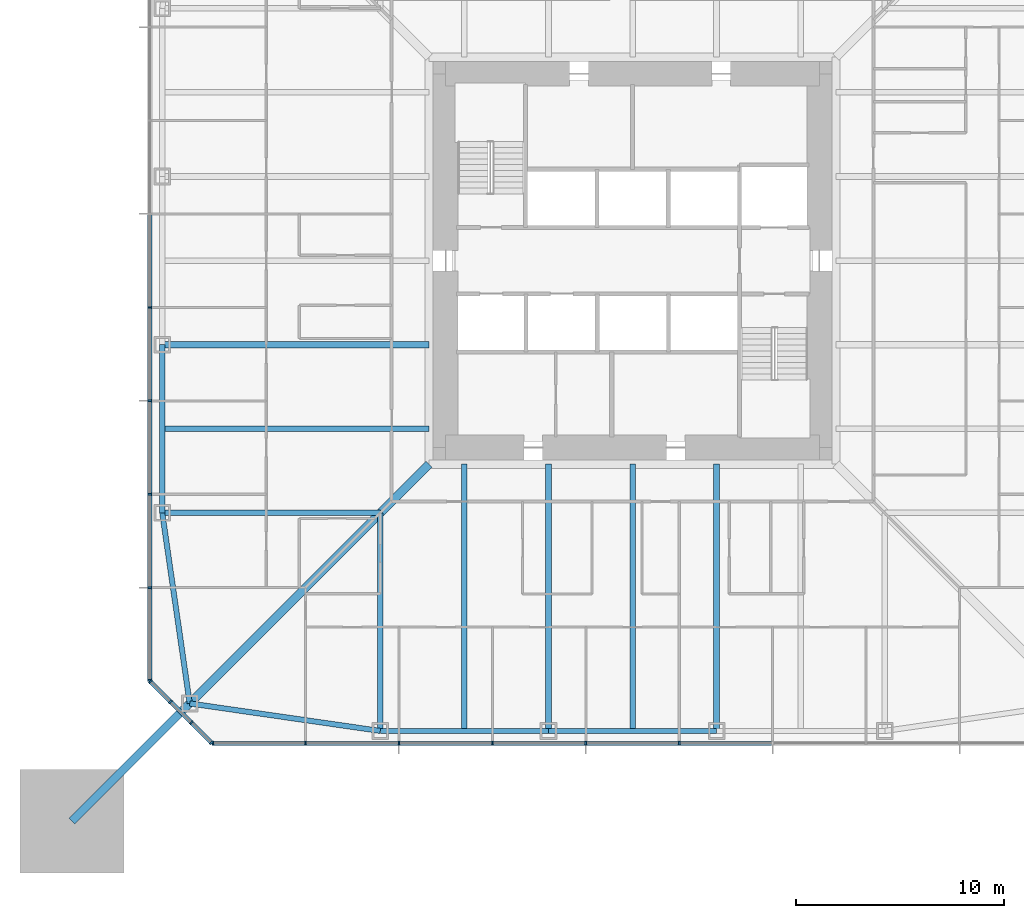
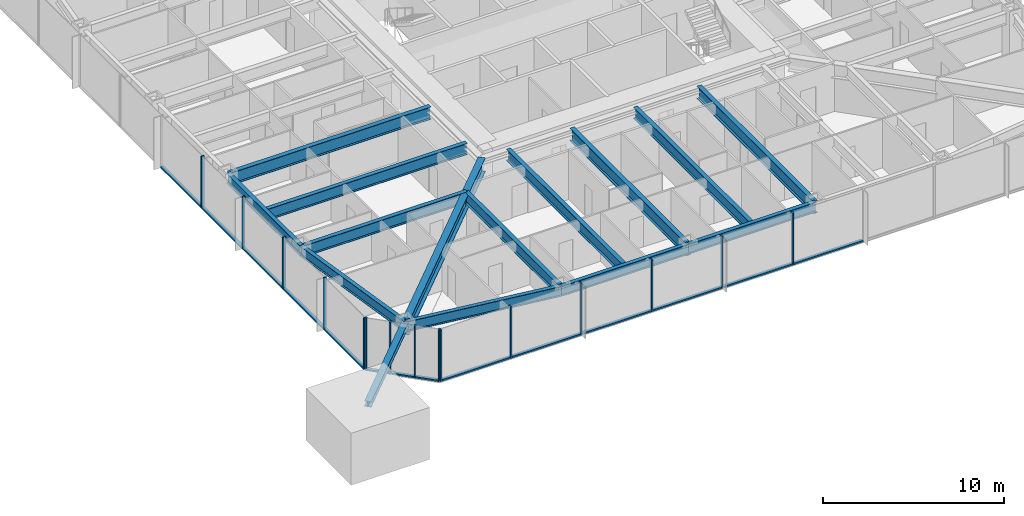
# One storey, part 3 of 26: 30 members, 14 beams, 3 elements without a shape of their own.
"""IFC4 building model written with IfcOpenShell, lengths in metres."""

from ifc_helpers import new_model, si_unit, direction, frame, origin, origin_2d, place, context, subcontext, project, spatial, rectangle, i_section, extrude, material, material_profile, profile_set, type_object, element, aggregate, save


model = new_model("IFC4")

# Units and contexts
model_context = context("Model", 3, precision=1e-05, world=origin(), true_north=direction((0.0, 1.0)))
body_context = subcontext(model_context, "Body", "Model", "MODEL_VIEW")
ifc_project = project(units=[si_unit("LENGTHUNIT", "METRE"), si_unit("AREAUNIT", "SQUARE_METRE"), si_unit("VOLUMEUNIT", "CUBIC_METRE"), si_unit("PLANEANGLEUNIT", "RADIAN"), si_unit("MASSUNIT", "GRAM", prefix="KILO")], contexts=[model_context])

# Site, building, storey
site_placement = place(None, origin())
site = spatial("IfcSite", under=ifc_project, at=site_placement, CompositionType="ELEMENT")
building_placement = place(site_placement, origin())
building = spatial("IfcBuilding", under=site, at=building_placement, Name="Iwan Alto Co-Living Towers", CompositionType="ELEMENT")
storey_placement = place(building_placement, frame((0.0, 0.0, 60.5)))
storey = spatial("IfcBuildingStorey", under=building, at=storey_placement, Name="L16", CompositionType="ELEMENT", Elevation=60.5)

# Curtain wall, members
ifc_material_1 = material(Name="Bronze aluminium unitised frame", Category="aluminium")
curtain_wall_type_1 = type_object("IfcCurtainWallType", Name="CURTAIN WALL CW-A", PredefinedType="NOTDEFINED", material=ifc_material_1)
curtain_wall_1_placement = place(storey_placement, origin())
curtain_wall_1 = element("IfcCurtainWall", 1, at=curtain_wall_1_placement, inside=storey, type_object=curtain_wall_type_1, Name="T1 curtain wall S L16", PredefinedType="NOTDEFINED")
ifc_material_2 = material(Name="Aluminium 6063-T6 bronze anodised", Category="aluminium")
ifc_material_profile_1 = material_profile(ifc_material_2, rectangle(XDim=0.199951171875, YDim=0.080078125, at=origin_2d()), Name="AL 80X200")
ifc_profile_set_1 = profile_set([ifc_material_profile_1], Name="Aluminium 6063-T6 bronze anodised")
member_type_1 = type_object("IfcMemberType", Name="CW-A MULLION 80X200", PredefinedType="MULLION", material=ifc_profile_set_1)
member_1_placement = place(storey_placement, frame((-20.2099609375, -23.25, 0.0), z_axis=(0.0, 0.0, 1.0), x_axis=(0.0, 1.0, 0.0)))
member_1 = element("IfcMember", 2, at=member_1_placement, type_object=member_type_1, Name="CW-A mullion 1", PredefinedType="MULLION", context=body_context, shape_type="SweptSolid", body=[
    extrude(rectangle(XDim=0.199951171875, YDim=0.080078125, at=origin_2d()), origin(), (0.0, 0.0, 1.0), 3.5),
])
member_2_placement = place(storey_placement, frame((-15.75, -23.25, 0.0), z_axis=(0.0, 0.0, 1.0), x_axis=(0.0, 1.0, 0.0)))
member_2 = element("IfcMember", 3, at=member_2_placement, type_object=member_type_1, Name="CW-A mullion 2", PredefinedType="MULLION", context=body_context, shape_type="SweptSolid", body=[
    extrude(rectangle(XDim=0.199951171875, YDim=0.080078125, at=origin_2d()), origin(), (0.0, 0.0, 1.0), 3.5),
])
member_3_placement = place(storey_placement, frame((-11.25, -23.25, 0.0), z_axis=(0.0, 0.0, 1.0), x_axis=(0.0, 1.0, 0.0)))
member_3 = element("IfcMember", 4, at=member_3_placement, type_object=member_type_1, Name="CW-A mullion 3", PredefinedType="MULLION", context=body_context, shape_type="SweptSolid", body=[
    extrude(rectangle(XDim=0.199951171875, YDim=0.080078125, at=origin_2d()), origin(), (0.0, 0.0, 1.0), 3.5),
])
member_4_placement = place(storey_placement, frame((-6.75, -23.25, 0.0), z_axis=(0.0, 0.0, 1.0), x_axis=(0.0, 1.0, 0.0)))
member_4 = element("IfcMember", 5, at=member_4_placement, type_object=member_type_1, Name="CW-A mullion 4", PredefinedType="MULLION", context=body_context, shape_type="SweptSolid", body=[
    extrude(rectangle(XDim=0.199951171875, YDim=0.080078125, at=origin_2d()), origin(), (0.0, 0.0, 1.0), 3.5),
])
member_5_placement = place(storey_placement, frame((-2.25, -23.25, 0.0), z_axis=(0.0, 0.0, 1.0), x_axis=(0.0, 1.0, 0.0)))
member_5 = element("IfcMember", 6, at=member_5_placement, type_object=member_type_1, Name="CW-A mullion 5", PredefinedType="MULLION", context=body_context, shape_type="SweptSolid", body=[
    extrude(rectangle(XDim=0.199951171875, YDim=0.080078125, at=origin_2d()), origin(), (0.0, 0.0, 1.0), 3.5),
])
member_6_placement = place(storey_placement, frame((2.25, -23.25, 0.0), z_axis=(0.0, 0.0, 1.0), x_axis=(0.0, 1.0, 0.0)))
member_6 = element("IfcMember", 7, at=member_6_placement, type_object=member_type_1, Name="CW-A mullion 6", PredefinedType="MULLION", context=body_context, shape_type="SweptSolid", body=[
    extrude(rectangle(XDim=0.199951171875, YDim=0.080078125, at=origin_2d()), origin(), (0.0, 0.0, 1.0), 3.5),
])

curtain_wall_2_placement = place(storey_placement, origin())
curtain_wall_2 = element("IfcCurtainWall", 8, at=curtain_wall_2_placement, inside=storey, type_object=curtain_wall_type_1, Name="T1 curtain wall W L16", PredefinedType="NOTDEFINED")
member_7_placement = place(storey_placement, frame((-23.25, -2.25, 0.0), z_axis=(0.0, 0.0, 1.0), x_axis=(1.0, 0.0, 0.0)))
member_7 = element("IfcMember", 9, at=member_7_placement, type_object=member_type_1, Name="CW-A mullion 6", PredefinedType="MULLION", context=body_context, shape_type="SweptSolid", body=[
    extrude(rectangle(XDim=0.199951171875, YDim=0.080078125, at=origin_2d()), origin(), (0.0, 0.0, 1.0), 3.5),
])
member_8_placement = place(storey_placement, frame((-23.25, -6.75, 0.0), z_axis=(0.0, 0.0, 1.0), x_axis=(1.0, 0.0, 0.0)))
member_8 = element("IfcMember", 10, at=member_8_placement, type_object=member_type_1, Name="CW-A mullion 7", PredefinedType="MULLION", context=body_context, shape_type="SweptSolid", body=[
    extrude(rectangle(XDim=0.199951171875, YDim=0.080078125, at=origin_2d()), origin(), (0.0, 0.0, 1.0), 3.5),
])
member_9_placement = place(storey_placement, frame((-23.25, -11.25, 0.0), z_axis=(0.0, 0.0, 1.0), x_axis=(1.0, 0.0, 0.0)))
member_9 = element("IfcMember", 11, at=member_9_placement, type_object=member_type_1, Name="CW-A mullion 8", PredefinedType="MULLION", context=body_context, shape_type="SweptSolid", body=[
    extrude(rectangle(XDim=0.199951171875, YDim=0.080078125, at=origin_2d()), origin(), (0.0, 0.0, 1.0), 3.5),
])
member_10_placement = place(storey_placement, frame((-23.25, -15.75, 0.0), z_axis=(0.0, 0.0, 1.0), x_axis=(1.0, 0.0, 0.0)))
member_10 = element("IfcMember", 12, at=member_10_placement, type_object=member_type_1, Name="CW-A mullion 9", PredefinedType="MULLION", context=body_context, shape_type="SweptSolid", body=[
    extrude(rectangle(XDim=0.199951171875, YDim=0.080078125, at=origin_2d()), origin(), (0.0, 0.0, 1.0), 3.5),
])
member_11_placement = place(storey_placement, frame((-23.25, -20.2099609375, 0.0), z_axis=(0.0, 0.0, 1.0), x_axis=(1.0, 0.0, 0.0)))
member_11 = element("IfcMember", 13, at=member_11_placement, type_object=member_type_1, Name="CW-A mullion 10", PredefinedType="MULLION", context=body_context, shape_type="SweptSolid", body=[
    extrude(rectangle(XDim=0.199951171875, YDim=0.080078125, at=origin_2d()), origin(), (0.0, 0.0, 1.0), 3.5),
])

# Member
ifc_material_3 = material(Name="Aluminium 6063-T6 bronze anodised", Category="aluminium")
ifc_material_profile_2 = material_profile(ifc_material_3, rectangle(XDim=0.199951171875, YDim=0.10009765625, at=origin_2d()), Name="AL 200X100")
ifc_profile_set_2 = profile_set([ifc_material_profile_2], Name="Aluminium 6063-T6 bronze anodised")
member_type_2 = type_object("IfcMemberType", Name="CW-A TRANSOM 200X100", PredefinedType="USERDEFINED", material=ifc_profile_set_2)
member_12_placement = place(storey_placement, frame((-20.169921875, -23.25, 0.050048828125), z_axis=(1.0, 0.0, 0.0), x_axis=(0.0, 1.0, 0.0)))
member_12 = element("IfcMember", 14, at=member_12_placement, type_object=member_type_2, Name="CW-A transom 1.1", ObjectType="TRANSOM", PredefinedType="USERDEFINED", context=body_context, shape_type="SweptSolid", body=[
    extrude(rectangle(XDim=0.199951171875, YDim=0.10009765625, at=origin_2d()), origin(), (0.0, 0.0, 1.0), 4.3798828125),
])

member_13_placement = place(storey_placement, frame((-15.7099609375, -23.25, 0.050048828125), z_axis=(1.0, 0.0, 0.0), x_axis=(0.0, 1.0, 0.0)))
member_13 = element("IfcMember", 15, at=member_13_placement, type_object=member_type_2, Name="CW-A transom 2.1", ObjectType="TRANSOM", PredefinedType="USERDEFINED", context=body_context, shape_type="SweptSolid", body=[
    extrude(rectangle(XDim=0.199951171875, YDim=0.10009765625, at=origin_2d()), origin(), (0.0, 0.0, 1.0), 4.419921875),
])

member_14_placement = place(storey_placement, frame((-11.2099609375, -23.25, 0.050048828125), z_axis=(1.0, 0.0, 0.0), x_axis=(0.0, 1.0, 0.0)))
member_14 = element("IfcMember", 16, at=member_14_placement, type_object=member_type_2, Name="CW-A transom 3.1", ObjectType="TRANSOM", PredefinedType="USERDEFINED", context=body_context, shape_type="SweptSolid", body=[
    extrude(rectangle(XDim=0.199951171875, YDim=0.10009765625, at=origin_2d()), origin(), (0.0, 0.0, 1.0), 4.419921875),
])

member_15_placement = place(storey_placement, frame((-6.7099609375, -23.25, 0.050048828125), z_axis=(1.0, 0.0, 0.0), x_axis=(0.0, 1.0, 0.0)))
member_15 = element("IfcMember", 17, at=member_15_placement, type_object=member_type_2, Name="CW-A transom 4.1", ObjectType="TRANSOM", PredefinedType="USERDEFINED", context=body_context, shape_type="SweptSolid", body=[
    extrude(rectangle(XDim=0.199951171875, YDim=0.10009765625, at=origin_2d()), origin(), (0.0, 0.0, 1.0), 4.419921875),
])

member_16_placement = place(storey_placement, frame((-2.2099609375, -23.25, 0.050048828125), z_axis=(1.0, 0.0, 0.0), x_axis=(0.0, 1.0, 0.0)))
member_16 = element("IfcMember", 18, at=member_16_placement, type_object=member_type_2, Name="CW-A transom 5.1", ObjectType="TRANSOM", PredefinedType="USERDEFINED", context=body_context, shape_type="SweptSolid", body=[
    extrude(rectangle(XDim=0.199951171875, YDim=0.10009765625, at=origin_2d()), origin(), (0.0, 0.0, 1.0), 4.419921875),
])

member_17_placement = place(storey_placement, frame((2.2900390625, -23.25, 0.050048828125), z_axis=(1.0, 0.0, 0.0), x_axis=(0.0, 1.0, 0.0)))
member_17 = element("IfcMember", 19, at=member_17_placement, type_object=member_type_2, Name="CW-A transom 6.1", ObjectType="TRANSOM", PredefinedType="USERDEFINED", context=body_context, shape_type="SweptSolid", body=[
    extrude(rectangle(XDim=0.199951171875, YDim=0.10009765625, at=origin_2d()), origin(), (0.0, 0.0, 1.0), 4.419921875),
])

aggregate(curtain_wall_1, [member_1, member_2, member_3, member_4, member_5, member_6, member_12, member_13, member_14, member_15, member_16, member_17])

member_18_placement = place(storey_placement, frame((-23.25, 2.2099609375, 0.050048828125), z_axis=(0.0, -1.0, 0.0), x_axis=(1.0, 0.0, 0.0)))
member_18 = element("IfcMember", 20, at=member_18_placement, type_object=member_type_2, Name="CW-A transom 5.1", ObjectType="TRANSOM", PredefinedType="USERDEFINED", context=body_context, shape_type="SweptSolid", body=[
    extrude(rectangle(XDim=0.199951171875, YDim=0.10009765625, at=origin_2d()), origin(), (0.0, 0.0, 1.0), 4.419921875),
])

member_19_placement = place(storey_placement, frame((-23.25, -2.2900390625, 0.050048828125), z_axis=(0.0, -1.0, 0.0), x_axis=(1.0, 0.0, 0.0)))
member_19 = element("IfcMember", 21, at=member_19_placement, type_object=member_type_2, Name="CW-A transom 6.1", ObjectType="TRANSOM", PredefinedType="USERDEFINED", context=body_context, shape_type="SweptSolid", body=[
    extrude(rectangle(XDim=0.199951171875, YDim=0.10009765625, at=origin_2d()), origin(), (0.0, 0.0, 1.0), 4.419921875),
])

member_20_placement = place(storey_placement, frame((-23.25, -6.7900390625, 0.050048828125), z_axis=(0.0, -1.0, 0.0), x_axis=(1.0, 0.0, 0.0)))
member_20 = element("IfcMember", 22, at=member_20_placement, type_object=member_type_2, Name="CW-A transom 7.1", ObjectType="TRANSOM", PredefinedType="USERDEFINED", context=body_context, shape_type="SweptSolid", body=[
    extrude(rectangle(XDim=0.199951171875, YDim=0.10009765625, at=origin_2d()), origin(), (0.0, 0.0, 1.0), 4.419921875),
])

member_21_placement = place(storey_placement, frame((-23.25, -11.2900390625, 0.050048828125), z_axis=(0.0, -1.0, 0.0), x_axis=(1.0, 0.0, 0.0)))
member_21 = element("IfcMember", 23, at=member_21_placement, type_object=member_type_2, Name="CW-A transom 8.1", ObjectType="TRANSOM", PredefinedType="USERDEFINED", context=body_context, shape_type="SweptSolid", body=[
    extrude(rectangle(XDim=0.199951171875, YDim=0.10009765625, at=origin_2d()), origin(), (0.0, 0.0, 1.0), 4.419921875),
])

member_22_placement = place(storey_placement, frame((-23.25, -15.7900390625, 0.050048828125), z_axis=(0.0, -1.0, 0.0), x_axis=(1.0, 0.0, 0.0)))
member_22 = element("IfcMember", 24, at=member_22_placement, type_object=member_type_2, Name="CW-A transom 9.1", ObjectType="TRANSOM", PredefinedType="USERDEFINED", context=body_context, shape_type="SweptSolid", body=[
    extrude(rectangle(XDim=0.199951171875, YDim=0.10009765625, at=origin_2d()), origin(), (0.0, 0.0, 1.0), 4.3798828125),
])

aggregate(curtain_wall_2, [member_7, member_8, member_9, member_10, member_11, member_18, member_19, member_20, member_21, member_22])

# Curtain wall, members
ifc_material_4 = material(Name="Bronze aluminium unitised frame", Category="aluminium")
curtain_wall_type_2 = type_object("IfcCurtainWallType", Name="CURTAIN WALL CW-B", PredefinedType="NOTDEFINED", material=ifc_material_4)
curtain_wall_3_placement = place(storey_placement, origin())
curtain_wall_3 = element("IfcCurtainWall", 25, at=curtain_wall_3_placement, inside=storey, type_object=curtain_wall_type_2, Name="T1 chamfer curtain wall SW L16", PredefinedType="NOTDEFINED")
ifc_material_5 = material(Name="Aluminium 6063-T6 bronze anodised", Category="aluminium")
ifc_material_profile_3 = material_profile(ifc_material_5, rectangle(XDim=0.199951171875, YDim=0.080078125, at=origin_2d()), Name="AL 80X200")
ifc_profile_set_3 = profile_set([ifc_material_profile_3], Name="Aluminium 6063-T6 bronze anodised")
member_type_3 = type_object("IfcMemberType", Name="CW-B MULLION 80X200", PredefinedType="MULLION", material=ifc_profile_set_3)
member_23_placement = place(storey_placement, frame((-23.2216796875, -20.2783203125, 0.0), z_axis=(0.0, 0.0, 1.0), x_axis=(0.707106781187, 0.707106781187, 0.0)))
member_23 = element("IfcMember", 26, at=member_23_placement, type_object=member_type_3, Name="CW-B mullion 1", PredefinedType="MULLION", context=body_context, shape_type="SweptSolid", body=[
    extrude(rectangle(XDim=0.199951171875, YDim=0.080078125, at=origin_2d()), origin(), (0.0, 0.0, 1.0), 3.5),
])
member_24_placement = place(storey_placement, frame((-22.25, -21.25, 0.0), z_axis=(0.0, 0.0, 1.0), x_axis=(0.707106781187, 0.707106781187, 0.0)))
member_24 = element("IfcMember", 27, at=member_24_placement, type_object=member_type_3, Name="CW-B mullion 2", PredefinedType="MULLION", context=body_context, shape_type="SweptSolid", body=[
    extrude(rectangle(XDim=0.199951171875, YDim=0.080078125, at=origin_2d()), origin(), (0.0, 0.0, 1.0), 3.5),
])
member_25_placement = place(storey_placement, frame((-21.25, -22.25, 0.0), z_axis=(0.0, 0.0, 1.0), x_axis=(0.707106781187, 0.707106781187, 0.0)))
member_25 = element("IfcMember", 28, at=member_25_placement, type_object=member_type_3, Name="CW-B mullion 3", PredefinedType="MULLION", context=body_context, shape_type="SweptSolid", body=[
    extrude(rectangle(XDim=0.199951171875, YDim=0.080078125, at=origin_2d()), origin(), (0.0, 0.0, 1.0), 3.5),
])
member_26_placement = place(storey_placement, frame((-20.2783203125, -23.2216796875, 0.0), z_axis=(0.0, 0.0, 1.0), x_axis=(0.707106781187, 0.707106781187, 0.0)))
member_26 = element("IfcMember", 29, at=member_26_placement, type_object=member_type_3, Name="CW-B mullion 4", PredefinedType="MULLION", context=body_context, shape_type="SweptSolid", body=[
    extrude(rectangle(XDim=0.199951171875, YDim=0.080078125, at=origin_2d()), origin(), (0.0, 0.0, 1.0), 3.5),
])
ifc_material_6 = material(Name="Aluminium 6063-T6 bronze anodised", Category="aluminium")
ifc_material_profile_4 = material_profile(ifc_material_6, rectangle(XDim=0.199951171875, YDim=0.10009765625, at=origin_2d()), Name="AL 200X100")
ifc_profile_set_4 = profile_set([ifc_material_profile_4], Name="Aluminium 6063-T6 bronze anodised")
member_type_4 = type_object("IfcMemberType", Name="CW-B TRANSOM 200X100", PredefinedType="USERDEFINED", material=ifc_profile_set_4)
member_27_placement = place(storey_placement, frame((-23.193359375, -20.306640625, 0.050048828125), z_axis=(0.707106781187, -0.707106781187, 0.0), x_axis=(0.707106781187, 0.707106781187, 0.0)))
member_27 = element("IfcMember", 30, at=member_27_placement, type_object=member_type_4, Name="CW-B transom 1.1", ObjectType="TRANSOM", PredefinedType="USERDEFINED", context=body_context, shape_type="SweptSolid", body=[
    extrude(rectangle(XDim=0.199951171875, YDim=0.10009765625, at=origin_2d()), origin(), (0.0, 0.0, 1.0), 1.2939453125),
])
member_28_placement = place(storey_placement, frame((-22.2216796875, -21.2783203125, 0.050048828125), z_axis=(0.707106781187, -0.707106781187, 0.0), x_axis=(0.707106781187, 0.707106781187, 0.0)))
member_28 = element("IfcMember", 31, at=member_28_placement, type_object=member_type_4, Name="CW-B transom 2.1", ObjectType="TRANSOM", PredefinedType="USERDEFINED", context=body_context, shape_type="SweptSolid", body=[
    extrude(rectangle(XDim=0.199951171875, YDim=0.10009765625, at=origin_2d()), origin(), (0.0, 0.0, 1.0), 1.334228515625),
])
member_29_placement = place(storey_placement, frame((-21.2216796875, -22.2783203125, 0.050048828125), z_axis=(0.707106781187, -0.707106781187, 0.0), x_axis=(0.707106781187, 0.707106781187, 0.0)))
member_29 = element("IfcMember", 32, at=member_29_placement, type_object=member_type_4, Name="CW-B transom 3.1", ObjectType="TRANSOM", PredefinedType="USERDEFINED", context=body_context, shape_type="SweptSolid", body=[
    extrude(rectangle(XDim=0.199951171875, YDim=0.10009765625, at=origin_2d()), origin(), (0.0, 0.0, 1.0), 1.2939453125),
])
aggregate(curtain_wall_3, [member_23, member_24, member_25, member_26, member_27, member_28, member_29])

# Beams
ifc_material_7 = material(Name="Steel ASTM A992 Gr 50", Category="steel")
ifc_material_profile_5 = material_profile(ifc_material_7, i_section(OverallWidth=0.419189453125, OverallDepth=0.927001953125, WebThickness=0.019287109375, FlangeThickness=0.031982421875, at=origin_2d()), Name="W36X231")
ifc_profile_set_5 = profile_set([ifc_material_profile_5], Name="Steel ASTM A992 Gr 50")
beam_type_1 = type_object("IfcBeamType", Name="T1 CORNER GIRDER W36X231", PredefinedType="BEAM", material=ifc_profile_set_5)
beam_1_placement = place(storey_placement, frame((-21.32568359375, -21.32568359375, 2.806396484375), z_axis=(0.707106781187, 0.707106781187, 0.0), x_axis=(-0.707106781187, 0.707106781187, 0.0)))
element("IfcBeam", 33, at=beam_1_placement, inside=storey, type_object=beam_type_1, Name="T1 corner girder CSW L17", PredefinedType="BEAM", context=body_context, shape_type="SweptSolid", body=[
    extrude(i_section(OverallWidth=0.419189453125, OverallDepth=0.927001953125, WebThickness=0.019287109375, FlangeThickness=0.031982421875, at=origin_2d()), origin(), (0.0, 0.0, 1.0), 16.30078125),
])
ifc_material_8 = material(Name="Steel ASTM A992 Gr 50", Category="steel")
ifc_material_profile_6 = material_profile(ifc_material_8, i_section(OverallWidth=0.25390625, OverallDepth=0.683349609375, WebThickness=0.012451171875, FlangeThickness=0.018798828125, at=origin_2d()), Name="W27X94")
ifc_profile_set_6 = profile_set([ifc_material_profile_6], Name="Steel ASTM A992 Gr 50")
beam_type_2 = type_object("IfcBeamType", Name="T1 EDGE BEAM W27X94", PredefinedType="BEAM", material=ifc_profile_set_6)
beam_2_placement = place(storey_placement, frame((-21.32568359375, -21.32568359375, 2.928466796875), z_axis=(0.989746234347, -0.142836940589, 0.0), x_axis=(0.142836940589, 0.989746234347, 0.0)))
element("IfcBeam", 34, at=beam_2_placement, inside=storey, type_object=beam_type_2, Name="T1 edge beam CSW L17", PredefinedType="BEAM", context=body_context, shape_type="SweptSolid", body=[
    extrude(i_section(OverallWidth=0.25390625, OverallDepth=0.683349609375, WebThickness=0.012451171875, FlangeThickness=0.018798828125, at=origin_2d()), origin(), (0.0, 0.0, 1.0), 9.270751953125),
])
beam_3_placement = place(storey_placement, frame((-12.14990234375, -22.64990234375, 2.928466796875), z_axis=(1.0, 0.0, 0.0), x_axis=(0.0, 1.0, 0.0)))
element("IfcBeam", 35, at=beam_3_placement, inside=storey, type_object=beam_type_2, Name="T1 edge beam S1 L17", PredefinedType="BEAM", context=body_context, shape_type="SweptSolid", body=[
    extrude(i_section(OverallWidth=0.25390625, OverallDepth=0.683349609375, WebThickness=0.012451171875, FlangeThickness=0.018798828125, at=origin_2d()), origin(), (0.0, 0.0, 1.0), 8.099853515625),
])
beam_4_placement = place(storey_placement, frame((-4.050048828125, -22.64990234375, 2.928466796875), z_axis=(1.0, 0.0, 0.0), x_axis=(0.0, 1.0, 0.0)))
element("IfcBeam", 36, at=beam_4_placement, inside=storey, type_object=beam_type_2, Name="T1 edge beam S2 L17", PredefinedType="BEAM", context=body_context, shape_type="SweptSolid", body=[
    extrude(i_section(OverallWidth=0.25390625, OverallDepth=0.683349609375, WebThickness=0.012451171875, FlangeThickness=0.018798828125, at=origin_2d()), origin(), (0.0, 0.0, 1.0), 8.10009765625),
])
beam_5_placement = place(storey_placement, frame((-22.64990234375, -4.050048828125, 2.928466796875), z_axis=(0.0, -1.0, 0.0), x_axis=(1.0, 0.0, 0.0)))
element("IfcBeam", 37, at=beam_5_placement, inside=storey, type_object=beam_type_2, Name="T1 edge beam W3 L17", PredefinedType="BEAM", context=body_context, shape_type="SweptSolid", body=[
    extrude(i_section(OverallWidth=0.25390625, OverallDepth=0.683349609375, WebThickness=0.012451171875, FlangeThickness=0.018798828125, at=origin_2d()), origin(), (0.0, 0.0, 1.0), 8.099853515625),
])
beam_6_placement = place(storey_placement, frame((-22.64990234375, -12.14990234375, 2.928466796875), z_axis=(0.142836940589, -0.989746234347, 0.0), x_axis=(0.989746234347, 0.142836940589, 0.0)))
element("IfcBeam", 38, at=beam_6_placement, inside=storey, type_object=beam_type_2, Name="T1 edge beam W4 L17", PredefinedType="BEAM", context=body_context, shape_type="SweptSolid", body=[
    extrude(i_section(OverallWidth=0.25390625, OverallDepth=0.683349609375, WebThickness=0.012451171875, FlangeThickness=0.018798828125, at=origin_2d()), origin(), (0.0, 0.0, 1.0), 9.270751953125),
])

# Member
ifc_material_9 = material(Name="Steel ASTM A992 Gr 50", Category="steel")
ifc_material_profile_7 = material_profile(ifc_material_9, i_section(OverallWidth=0.393798828125, OverallDepth=0.3759765625, WebThickness=0.017333984375, FlangeThickness=0.027587890625, at=origin_2d()), Name="W14X145")
ifc_profile_set_7 = profile_set([ifc_material_profile_7], Name="Steel ASTM A992 Gr 50")
member_type_5 = type_object("IfcMemberType", Name="T1 MEGA COLUMN FLOOR TIE W14X145", PredefinedType="STRUT", material=ifc_profile_set_7)
member_30_placement = place(storey_placement, frame((-27.0, -27.0, 3.08203125), z_axis=(0.707106781187, 0.707106781187, 0.0), x_axis=(-0.707106781187, 0.707106781187, 0.0)))
element("IfcMember", 39, at=member_30_placement, inside=storey, type_object=member_type_5, Name="T1 mega column floor tie SW L17", PredefinedType="STRUT", context=body_context, shape_type="SweptSolid", body=[
    extrude(i_section(OverallWidth=0.393798828125, OverallDepth=0.3759765625, WebThickness=0.017333984375, FlangeThickness=0.027587890625, at=origin_2d()), origin(), (0.0, 0.0, 1.0), 8.024658203125),
])

# Beams
ifc_material_10 = material(Name="Steel ASTM A992 Gr 50", Category="steel")
ifc_material_profile_8 = material_profile(ifc_material_10, i_section(OverallWidth=0.2666015625, OverallDepth=0.761962890625, WebThickness=0.014404296875, FlangeThickness=0.021484375, at=origin_2d()), Name="W30X116")
ifc_profile_set_8 = profile_set([ifc_material_profile_8], Name="Steel ASTM A992 Gr 50")
beam_type_3 = type_object("IfcBeamType", Name="T1 RADIAL BEAM W30X116", PredefinedType="BEAM", material=ifc_profile_set_8)
for number, where, z_axis, x_axis, name in (
    (40, (-12.14990234375, -22.64990234375, 2.888916015625), (0.0, 1.0, 0.0), (-1.0, 0.0, 0.0), "T1 radial beam S1 L17"),
    (41, (-22.64990234375, -12.14990234375, 2.888916015625), (1.0, 0.0, 0.0), (0.0, 1.0, 0.0), "T1 radial beam W4 L17"),
):
    element("IfcBeam", number, at=place(storey_placement, frame(where, z_axis=z_axis, x_axis=x_axis)), inside=storey, type_object=beam_type_3, Name=name, PredefinedType="BEAM", context=body_context, shape_type="SweptSolid", body=[
        extrude(i_section(OverallWidth=0.2666015625, OverallDepth=0.761962890625, WebThickness=0.014404296875, FlangeThickness=0.021484375, at=origin_2d()), origin(), (0.0, 0.0, 1.0), 10.5),
    ])
ifc_material_11 = material(Name="Steel ASTM A992 Gr 50", Category="steel")
ifc_material_profile_9 = material_profile(ifc_material_11, i_section(OverallWidth=0.2919921875, OverallDepth=0.8408203125, WebThickness=0.0146484375, FlangeThickness=0.021728515625, at=origin_2d()), Name="W33X130")
ifc_profile_set_9 = profile_set([ifc_material_profile_9], Name="Steel ASTM A992 Gr 50")
beam_type_4 = type_object("IfcBeamType", Name="T1 RADIAL BEAM W33X130", PredefinedType="BEAM", material=ifc_profile_set_9)
for number, where, z_axis, x_axis, name in (
    (42, (-4.050048828125, -22.64990234375, 2.849609375), (0.0, 1.0, 0.0), (-1.0, 0.0, 0.0), "T1 radial beam S2 L17"),
    (43, (4.050048828125, -22.64990234375, 2.849609375), (0.0, 1.0, 0.0), (-1.0, 0.0, 0.0), "T1 radial beam S3 L17"),
    (44, (-22.64990234375, -4.050048828125, 2.849609375), (1.0, 0.0, 0.0), (0.0, 1.0, 0.0), "T1 radial beam W3 L17"),
):
    element("IfcBeam", number, at=place(storey_placement, frame(where, z_axis=z_axis, x_axis=x_axis)), inside=storey, type_object=beam_type_4, Name=name, PredefinedType="BEAM", context=body_context, shape_type="SweptSolid", body=[
        extrude(i_section(OverallWidth=0.2919921875, OverallDepth=0.8408203125, WebThickness=0.0146484375, FlangeThickness=0.021728515625, at=origin_2d()), origin(), (0.0, 0.0, 1.0), 12.8505859375),
    ])
ifc_material_12 = material(Name="Steel ASTM A992 Gr 50", Category="steel")
ifc_material_profile_10 = material_profile(ifc_material_12, i_section(OverallWidth=0.2666015625, OverallDepth=0.761962890625, WebThickness=0.014404296875, FlangeThickness=0.021484375, at=origin_2d()), Name="W30X116")
ifc_profile_set_10 = profile_set([ifc_material_profile_10], Name="Steel ASTM A992 Gr 50")
beam_type_5 = type_object("IfcBeamType", Name="T1 SECONDARY BEAM W30X116", PredefinedType="JOIST", material=ifc_profile_set_10)
for number, where, z_axis, x_axis, name in (
    (45, (-8.10009765625, -22.64990234375, 2.888916015625), (0.0, 1.0, 0.0), (-1.0, 0.0, 0.0), "T1 secondary beam S1 L17"),
    (46, (0.0, -22.64990234375, 2.888916015625), (0.0, 1.0, 0.0), (-1.0, 0.0, 0.0), "T1 secondary beam S2 L17"),
    (47, (-22.64990234375, -8.10009765625, 2.888916015625), (1.0, 0.0, 0.0), (0.0, 1.0, 0.0), "T1 secondary beam W3 L17"),
):
    element("IfcBeam", number, at=place(storey_placement, frame(where, z_axis=z_axis, x_axis=x_axis)), inside=storey, type_object=beam_type_5, Name=name, PredefinedType="JOIST", context=body_context, shape_type="SweptSolid", body=[
        extrude(i_section(OverallWidth=0.2666015625, OverallDepth=0.761962890625, WebThickness=0.014404296875, FlangeThickness=0.021484375, at=origin_2d()), origin(), (0.0, 0.0, 1.0), 12.8505859375),
    ])

save(model, "model.ifc")
